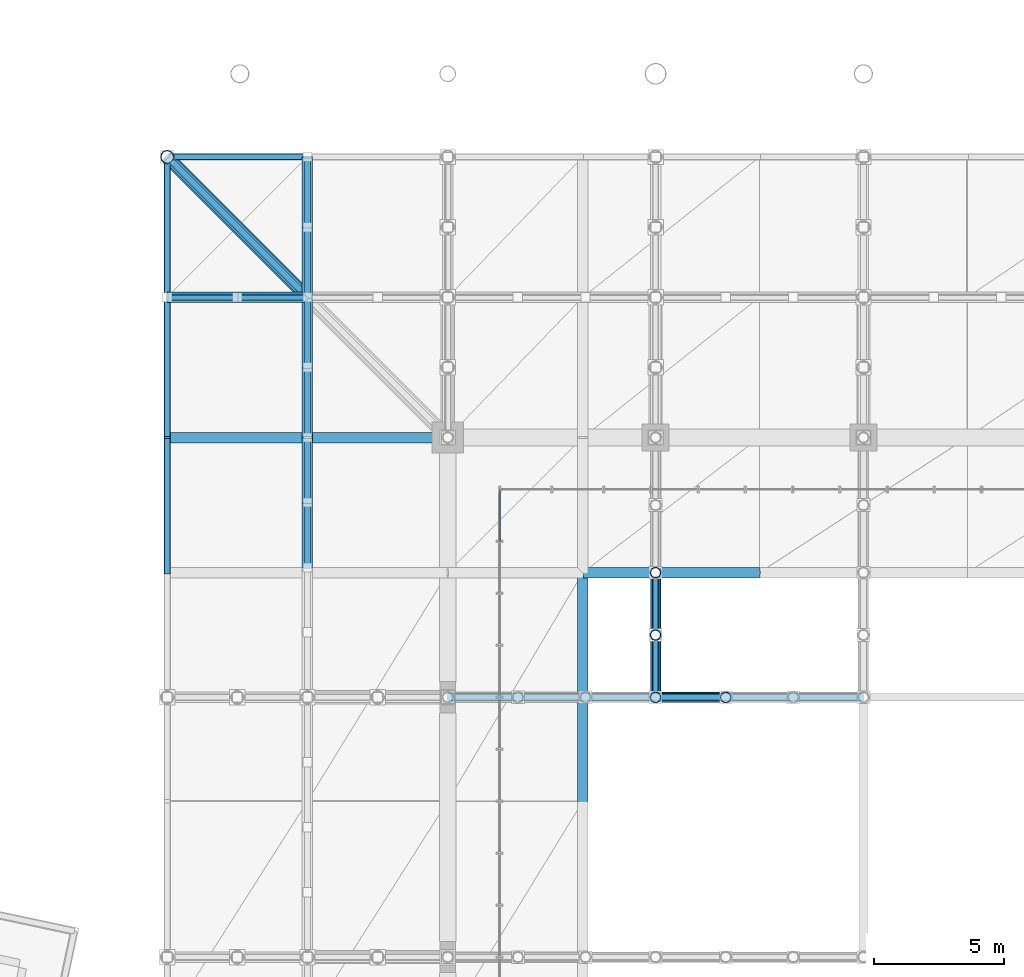
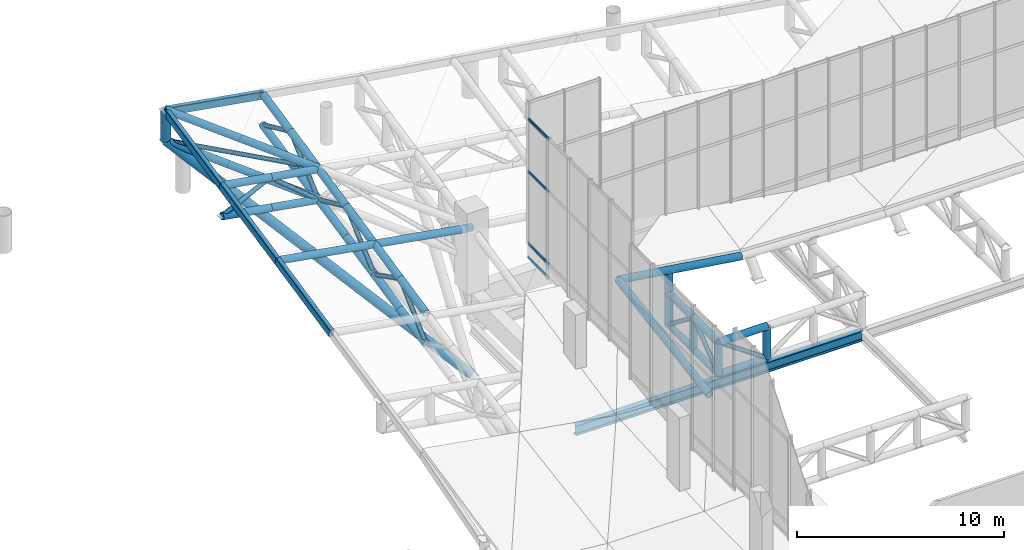
# One storey, part 40 of 137: 50 members, 5 beams, 1 element without a shape of its own.
"""IFC4 building model written with IfcOpenShell, lengths in metres."""

import ifcopenshell
import ifcopenshell.guid

model = None  # the IFC model being written
_history = None  # IfcOwnerHistory: only IFC2X3 demands one
_inside = {}  # id of a spatial element -> (the spatial element, [elements in it])
_under = {}  # id of a project, library or spatial element -> (it, [spatial elements below it])
_declared = {}  # id of a project -> (the project, [libraries it declares])
_typed = {}  # id of a type object -> (the type object, [elements of that type])
_made_of = {}  # id of a material, layer set ... -> (it, [elements and type objects made of it])


def new_model(schema):
    """Start an empty IFC model of exactly this schema.

    Asked for "IFC4X3", IfcOpenShell would pick the latest addendum, in which some entities
    have other attributes; the version numbers below select the first issue.
    IFC2X3 requires an IfcOwnerHistory on every rooted entity: one is made here for all.
    """
    global model, _history
    if schema == "IFC4X3":
        model = ifcopenshell.file(schema_version=(4, 3, 0, 0))
    else:
        model = ifcopenshell.file(schema=schema)
    _inside.clear()
    _under.clear()
    _declared.clear()
    _typed.clear()
    _made_of.clear()
    _history = None
    if model.schema == "IFC2X3":
        org = make("IfcOrganization", Name="unknown")
        user = make(
            "IfcPersonAndOrganization",
            ThePerson=make("IfcPerson", FamilyName="unknown"),
            TheOrganization=org,
        )
        app = make(
            "IfcApplication",
            ApplicationDeveloper=org,
            Version="unknown",
            ApplicationFullName="unknown",
            ApplicationIdentifier="unknown",
        )
        _history = make(
            "IfcOwnerHistory",
            OwningUser=user,
            OwningApplication=app,
            ChangeAction="ADDED",
            CreationDate=0,
        )
    return model


def make(cls, **values):
    """One entity of the class cls with the attributes given. An attribute that is None is left unset."""
    return model.create_entity(
        cls, **{name: value for name, value in values.items() if value is not None}
    )


def rooted(cls, **values):
    """An entity with a GlobalId (a new one), such as an element, a storey or a relation."""
    return make(cls, GlobalId=ifcopenshell.guid.new(), OwnerHistory=_history, **values)


def si_unit(unit_type, name, prefix=None):
    """IfcSIUnit, for example si_unit("LENGTHUNIT", "METRE", prefix="MILLI")."""
    return make("IfcSIUnit", UnitType=unit_type, Prefix=prefix, Name=name)


def assignment(units):
    """IfcUnitAssignment: the units of a project."""
    return None if units is None else make("IfcUnitAssignment", Units=units)


def point(xyz):
    """IfcCartesianPoint."""
    return None if xyz is None else make("IfcCartesianPoint", Coordinates=xyz)


def direction(xyz):
    """IfcDirection."""
    return None if xyz is None else make("IfcDirection", DirectionRatios=xyz)


def frame(location, z_axis=None, x_axis=None):
    """IfcAxis2Placement3D, a coordinate frame: its origin and axes. An axis left out is left unset."""
    return make(
        "IfcAxis2Placement3D",
        Location=point(location),
        Axis=direction(z_axis),
        RefDirection=direction(x_axis),
    )


def frame_2d(location, x_axis=None):
    """IfcAxis2Placement2D, a coordinate frame in the plane: its origin and x axis."""
    return make(
        "IfcAxis2Placement2D", Location=point(location), RefDirection=direction(x_axis)
    )


def origin():
    """The frame at (0, 0, 0) with its axes left unset."""
    return frame((0.0, 0.0, 0.0))


def origin_2d():
    """The frame at (0, 0) in the plane with its x axis left unset."""
    return frame_2d((0.0, 0.0))


def place(relative_to, where):
    """IfcLocalPlacement: puts the frame where relative to a parent placement (None: the world)."""
    return make(
        "IfcLocalPlacement", PlacementRelTo=relative_to, RelativePlacement=where
    )


def context(
    kind, dimensions, precision=None, world=None, true_north=None, identifier=None
):
    """IfcGeometricRepresentationContext, for example the 3D "Model" context."""
    return make(
        "IfcGeometricRepresentationContext",
        ContextIdentifier=identifier,
        ContextType=kind,
        CoordinateSpaceDimension=dimensions,
        Precision=precision,
        WorldCoordinateSystem=world,
        TrueNorth=true_north,
    )


def subcontext(parent, identifier, kind, view, scale=None):
    """IfcGeometricRepresentationSubContext, for example "Body" below "Model"."""
    return make(
        "IfcGeometricRepresentationSubContext",
        ContextIdentifier=identifier,
        ContextType=kind,
        ParentContext=parent,
        TargetScale=scale,
        TargetView=view,
    )


def project(units=None, contexts=None):
    """IfcProject with its units and contexts."""
    return rooted(
        "IfcProject",
        Name="project",
        RepresentationContexts=contexts,
        UnitsInContext=assignment(units),
    )


def spatial(cls, under=None, at=None, **own):
    """A site, building, storey or space (cls), placed at a placement, below another one or the project."""
    s = rooted(cls, ObjectPlacement=at, **own)
    if under is not None:
        _under.setdefault(under.id(), (under, []))[1].append(s)
    return s


def profile(cls, at=None, kind="AREA", **sizes):
    """A parametric profile (cls). Its sizes go by their IFC names, for example OverallWidth=200.0."""
    return make(cls, ProfileType=kind, Position=at, **sizes)


def hollow_rectangle(**sizes):
    """IfcRectangleHollowProfileDef."""
    return profile("IfcRectangleHollowProfileDef", **sizes)


def hollow_circle(**sizes):
    """IfcCircleHollowProfileDef."""
    return profile("IfcCircleHollowProfileDef", **sizes)


def i_section(**sizes):
    """IfcIShapeProfileDef."""
    return profile("IfcIShapeProfileDef", **sizes)


def extrude(swept, where, along, depth):
    """IfcExtrudedAreaSolid: the profile swept, set in the frame where, extruded along a direction by depth."""
    return make(
        "IfcExtrudedAreaSolid",
        SweptArea=swept,
        Position=where,
        ExtrudedDirection=direction(along),
        Depth=depth,
    )


def shape(context_of_items, identifier, shape_type, items):
    """IfcShapeRepresentation: the items that make up one representation, for example the "Body"."""
    return make(
        "IfcShapeRepresentation",
        ContextOfItems=context_of_items,
        RepresentationIdentifier=identifier,
        RepresentationType=shape_type,
        Items=items,
    )


def material(Name=None, Category=None):
    """IfcMaterial."""
    return make("IfcMaterial", Name=Name, Category=Category)


def layer(
    of_material, thickness, ventilated=None, Name=None, Category=None, Priority=None
):
    """IfcMaterialLayer: one layer of a wall or slab, of a material (None: an air gap)."""
    return make(
        "IfcMaterialLayer",
        Material=of_material,
        LayerThickness=thickness,
        IsVentilated=ventilated,
        Name=Name,
        Category=Category,
        Priority=Priority,
    )


def layer_set(layers, Name=None):
    """IfcMaterialLayerSet."""
    return make("IfcMaterialLayerSet", MaterialLayers=layers, LayerSetName=Name)


def material_profile(
    of_material, cross_section, Name=None, Category=None, Priority=None
):
    """IfcMaterialProfile: a cross section and its material."""
    return make(
        "IfcMaterialProfile",
        Name=Name,
        Material=of_material,
        Profile=cross_section,
        Priority=Priority,
        Category=Category,
    )


def profile_set(profiles, Name=None, composite=None):
    """IfcMaterialProfileSet."""
    return make(
        "IfcMaterialProfileSet",
        Name=Name,
        MaterialProfiles=profiles,
        CompositeProfile=composite,
    )


def made_of(thing, what):
    """Note that an element or type object is made of a material, layer set ...; save() writes the relation."""
    if what is not None:
        _made_of.setdefault(what.id(), (what, []))[1].append(thing)
    return thing


def type_object(cls, material=None, **own):
    """A type object (cls), such as IfcWallType, which elements share."""
    return made_of(rooted(cls, **own), material)


def element(
    cls,
    number,
    at=None,
    inside=None,
    cuts=None,
    type_object=None,
    material=None,
    context=None,
    identifier="Body",
    shape_type=None,
    held_by="IfcProductDefinitionShape",
    body=None,
    shapes=None,
    **own,
):
    """One element of the class cls, such as IfcWall. Its Tag is "e" and its number.

    at: its placement. inside: the storey or other place that contains it. cuts: it is an
    opening in that element (IfcRelVoidsElement). A single representation is given by context,
    identifier, shape_type and body (its items); several are given by shapes. held_by: the class
    of the entity that holds the representations. save() writes the other relations.
    """
    e = rooted(cls, Tag="e%d" % number, ObjectPlacement=at, **own)
    if body is not None:
        shapes = [shape(context, identifier, shape_type, body)]
    if shapes is not None:
        e.Representation = make(held_by, Representations=shapes)
    if inside is not None:
        _inside.setdefault(inside.id(), (inside, []))[1].append(e)
    if cuts is not None:
        rooted(
            "IfcRelVoidsElement", RelatingBuildingElement=cuts, RelatedOpeningElement=e
        )
    if type_object is not None:
        _typed.setdefault(type_object.id(), (type_object, []))[1].append(e)
    return made_of(e, material)


def aggregate(whole, parts):
    """IfcRelAggregates: a whole, such as a stair, and the parts it consists of."""
    return rooted("IfcRelAggregates", RelatingObject=whole, RelatedObjects=parts)


def save(model, path):
    """Write the relations noted so far, then the file.

    IfcRelAggregates (storeys below a building ...), IfcRelContainedInSpatialStructure (elements
    in a storey), IfcRelDefinesByType, IfcRelAssociatesMaterial and IfcRelDeclares: one each for
    every whole, place, type object, material and project.
    """
    for whole, parts in _under.values():
        aggregate(whole, parts)
    for where, things in _inside.values():
        rooted(
            "IfcRelContainedInSpatialStructure",
            RelatedElements=things,
            RelatingStructure=where,
        )
    for kind, things in _typed.values():
        rooted("IfcRelDefinesByType", RelatedObjects=things, RelatingType=kind)
    for what, things in _made_of.values():
        rooted("IfcRelAssociatesMaterial", RelatedObjects=things, RelatingMaterial=what)
    for by, libraries in _declared.values():
        rooted("IfcRelDeclares", RelatingContext=by, RelatedDefinitions=libraries)
    model.write(path)


model = new_model("IFC4")

# Units and contexts
model_context = context("Model", 3, precision=1e-05, world=origin(), true_north=direction((0.0, 1.0)))
body_context = subcontext(model_context, "Body", "Model", "MODEL_VIEW")
ifc_project = project(units=[si_unit("LENGTHUNIT", "METRE"), si_unit("AREAUNIT", "SQUARE_METRE"), si_unit("VOLUMEUNIT", "CUBIC_METRE"), si_unit("PLANEANGLEUNIT", "RADIAN"), si_unit("MASSUNIT", "GRAM", prefix="KILO")], contexts=[model_context])

# Site, building, storey
site_placement = place(None, origin())
site = spatial("IfcSite", under=ifc_project, at=site_placement, CompositionType="ELEMENT")
building_placement = place(site_placement, origin())
building = spatial("IfcBuilding", under=site, at=building_placement, Name="Khorjan Park Terminus", CompositionType="ELEMENT")
storey_placement = place(building_placement, frame((0.0, 0.0, 11.4)))
storey = spatial("IfcBuildingStorey", under=building, at=storey_placement, Name="L02", CompositionType="ELEMENT", Elevation=11.4)

# Beam
ifc_material_1 = material(Name="Steel S355", Category="steel")
ifc_material_profile_1 = material_profile(ifc_material_1, i_section(OverallWidth=0.3, OverallDepth=0.59, WebThickness=0.013, FlangeThickness=0.025, FilletRadius=0.027, at=origin_2d()), Name="HEA 600")
ifc_profile_set_1 = profile_set([ifc_material_profile_1], Name="Steel S355")
beam_type_1 = type_object("IfcBeamType", Name="BM-HEA600", PredefinedType="BEAM", material=ifc_profile_set_1)
beam_1_placement = place(storey_placement, frame((48.0, 78.0, -2.395), z_axis=(1.0, 0.0, 0.0), x_axis=(0.0, 1.0, 0.0)))
element("IfcBeam", 1, at=beam_1_placement, inside=storey, type_object=beam_type_1, Name="Lower shell truss support girder SB-A60 (X26)", PredefinedType="BEAM", context=body_context, shape_type="SweptSolid", body=[
    extrude(i_section(OverallWidth=0.3, OverallDepth=0.59, WebThickness=0.013, FlangeThickness=0.025, FilletRadius=0.027, at=origin_2d()), origin(), (0.0, 0.0, 1.0), 16.0),
])

# Members
ifc_material_profile_2 = material_profile(ifc_material_1, hollow_circle(Radius=0.1222, WallThickness=0.0125, at=origin_2d()), Name="CHS 244.5x12.5")
ifc_profile_set_2 = profile_set([ifc_material_profile_2], Name="Steel S355")
member_type_1 = type_object("IfcMemberType", Name="MB-BR-245", PredefinedType="BRACE", material=ifc_profile_set_2)
for number, where, z_axis, x_axis, name in (
    (2, (56.0, 78.0, -1.92), (0.0, 0.788820985003, 0.614623017482), (-1.0, 0.0, 0.0), "Lower shell cantilever truss diagonal (2N)"),
    (3, (56.0, 80.4, -0.05), (0.0, 0.788820985003, -0.614623017482), (-1.0, 0.0, 0.0), "Lower shell cantilever truss diagonal (2N)"),
):
    element("IfcMember", number, at=place(storey_placement, frame(where, z_axis=z_axis, x_axis=x_axis)), inside=storey, type_object=member_type_1, Name=name, PredefinedType="BRACE", context=body_context, shape_type="SweptSolid", body=[
        extrude(hollow_circle(Radius=0.1222, WallThickness=0.0125, at=origin_2d()), origin(), (0.0, 0.0, 1.0), 3.0425),
    ])
member_1_placement = place(storey_placement, frame((56.0, 78.0, -0.05), z_axis=(0.822082565391, 0.0, -0.569368295289), x_axis=(0.0, 1.0, 0.0)))
element("IfcMember", 4, at=member_1_placement, inside=storey, type_object=member_type_1, Name="Lower shell W/E truss diagonal (W4)", PredefinedType="BRACE", context=body_context, shape_type="SweptSolid", body=[
    extrude(hollow_circle(Radius=0.1222, WallThickness=0.0125, at=origin_2d()), origin(), (0.0, 0.0, 1.0), 3.2843),
])
ifc_material_profile_3 = material_profile(ifc_material_1, hollow_circle(Radius=0.1222, WallThickness=0.0125, at=origin_2d()), Name="CHS 244.5x12.5")
ifc_profile_set_3 = profile_set([ifc_material_profile_3], Name="Steel S355")
member_type_2 = type_object("IfcMemberType", Name="MB-BRE-245", PredefinedType="BRACE", material=ifc_profile_set_3)
member_2_placement = place(storey_placement, frame((37.2, 93.4, 4.6256), z_axis=(0.895485989032, 0.0, 0.445089702697), x_axis=(0.0, 1.0, 0.0)))
element("IfcMember", 5, at=member_2_placement, inside=storey, type_object=member_type_2, Name="Lower shell mid-ring diagonal (N1)", PredefinedType="BRACE", context=body_context, shape_type="SweptSolid", body=[
    extrude(hollow_circle(Radius=0.1222, WallThickness=0.0125, at=origin_2d()), origin(), (0.0, 0.0, 1.0), 3.0151),
])
member_3_placement = place(storey_placement, frame((39.9, 93.4, 5.9676), z_axis=(0.767102290967, 0.0, -0.641524804816), x_axis=(0.0, 1.0, 0.0)))
element("IfcMember", 6, at=member_3_placement, inside=storey, type_object=member_type_2, Name="Lower shell mid-ring diagonal (N2)", PredefinedType="BRACE", context=body_context, shape_type="SweptSolid", body=[
    extrude(hollow_circle(Radius=0.1222, WallThickness=0.0125, at=origin_2d()), origin(), (0.0, 0.0, 1.0), 3.5197),
])
member_4_placement = place(storey_placement, frame((42.6, 83.0, 1.5018), z_axis=(0.0, 0.731439462043, 0.681906381673), x_axis=(-1.0, 0.0, 0.0)))
element("IfcMember", 7, at=member_4_placement, inside=storey, type_object=member_type_2, Name="Lower shell mid-ring diagonal (W27)", PredefinedType="BRACE", context=body_context, shape_type="SweptSolid", body=[
    extrude(hollow_circle(Radius=0.1222, WallThickness=0.0125, at=origin_2d()), origin(), (0.0, 0.0, 1.0), 3.4179),
])
member_5_placement = place(storey_placement, frame((42.6, 85.5, 3.8325), z_axis=(0.0, 0.891656802084, -0.452711991554), x_axis=(-1.0, 0.0, 0.0)))
element("IfcMember", 8, at=member_5_placement, inside=storey, type_object=member_type_2, Name="Lower shell mid-ring diagonal (W28)", PredefinedType="BRACE", context=body_context, shape_type="SweptSolid", body=[
    extrude(hollow_circle(Radius=0.1222, WallThickness=0.0125, at=origin_2d()), origin(), (0.0, 0.0, 1.0), 2.8038),
])
member_6_placement = place(storey_placement, frame((42.6, 88.0, 2.5632), z_axis=(0.0, 0.751099687052, 0.660188806411), x_axis=(-1.0, 0.0, 0.0)))
element("IfcMember", 9, at=member_6_placement, inside=storey, type_object=member_type_2, Name="Lower shell mid-ring diagonal (W29)", PredefinedType="BRACE", context=body_context, shape_type="SweptSolid", body=[
    extrude(hollow_circle(Radius=0.1222, WallThickness=0.0125, at=origin_2d()), origin(), (0.0, 0.0, 1.0), 3.5947),
])
member_7_placement = place(storey_placement, frame((42.6, 90.7, 4.9364), z_axis=(0.0, 0.910426516303, -0.413670833408), x_axis=(-1.0, 0.0, 0.0)))
element("IfcMember", 10, at=member_7_placement, inside=storey, type_object=member_type_2, Name="Lower shell mid-ring diagonal (W30)", PredefinedType="BRACE", context=body_context, shape_type="SweptSolid", body=[
    extrude(hollow_circle(Radius=0.1222, WallThickness=0.0125, at=origin_2d()), origin(), (0.0, 0.0, 1.0), 2.9656),
])
member_8_placement = place(storey_placement, frame((42.6, 93.4, 3.7096), z_axis=(0.0, 0.751113481437, 0.660173112148), x_axis=(-1.0, 0.0, 0.0)))
element("IfcMember", 11, at=member_8_placement, inside=storey, type_object=member_type_2, Name="Lower shell mid-ring diagonal (W31)", PredefinedType="BRACE", context=body_context, shape_type="SweptSolid", body=[
    extrude(hollow_circle(Radius=0.1222, WallThickness=0.0125, at=origin_2d()), origin(), (0.0, 0.0, 1.0), 3.5947),
])
member_9_placement = place(storey_placement, frame((42.6, 96.1, 6.0827), z_axis=(0.0, 0.910426516303, -0.413670833408), x_axis=(-1.0, 0.0, 0.0)))
element("IfcMember", 12, at=member_9_placement, inside=storey, type_object=member_type_2, Name="Lower shell mid-ring diagonal (W32)", PredefinedType="BRACE", context=body_context, shape_type="SweptSolid", body=[
    extrude(hollow_circle(Radius=0.1222, WallThickness=0.0125, at=origin_2d()), origin(), (0.0, 0.0, 1.0), 2.9656),
])
member_10_placement = place(storey_placement, frame((42.6, 93.4, 5.5576), z_axis=(-0.706689738214, 0.706689738213, 0.034339886538), x_axis=(-0.707106781187, -0.707106781187, 0.0)))
element("IfcMember", 13, at=member_10_placement, inside=storey, type_object=member_type_2, Name="Lower shell upturned corner truss TBE-24 (NW)", PredefinedType="BRACE", context=body_context, shape_type="SweptSolid", body=[
    extrude(hollow_circle(Radius=0.1222, WallThickness=0.0125, at=origin_2d()), origin(), (0.0, 0.0, 1.0), 7.6413),
])
ifc_material_profile_4 = material_profile(ifc_material_1, hollow_circle(Radius=0.1778, WallThickness=0.016, at=origin_2d()), Name="CHS 355.6x16")
ifc_profile_set_4 = profile_set([ifc_material_profile_4], Name="Steel S355")
member_type_3 = type_object("IfcMemberType", Name="MB-CH-356", PredefinedType="CHORD", material=ifc_profile_set_4)
for number, where, z_axis, x_axis, name in (
    (14, (56.0, 78.0, -1.92), (0.0, 1.0, 0.0), (-1.0, 0.0, 0.0), "Lower shell cantilever truss bottom chord (2N)"),
    (15, (56.0, 80.4, -1.92), (0.0, 1.0, 0.0), (-1.0, 0.0, 0.0), "Lower shell cantilever truss bottom chord (2N)"),
):
    element("IfcMember", number, at=place(storey_placement, frame(where, z_axis=z_axis, x_axis=x_axis)), inside=storey, type_object=member_type_3, Name=name, PredefinedType="CHORD", context=body_context, shape_type="SweptSolid", body=[
        extrude(hollow_circle(Radius=0.1778, WallThickness=0.016, at=origin_2d()), origin(), (0.0, 0.0, 1.0), 2.4),
    ])
member_11_placement = place(storey_placement, frame((56.0, 78.0, -1.92), z_axis=(1.0, 0.0, 0.0), x_axis=(0.0, 1.0, 0.0)))
element("IfcMember", 16, at=member_11_placement, inside=storey, type_object=member_type_3, Name="Lower shell W/E truss bottom chord (W4)", PredefinedType="CHORD", context=body_context, shape_type="SweptSolid", body=[
    extrude(hollow_circle(Radius=0.1778, WallThickness=0.016, at=origin_2d()), origin(), (0.0, 0.0, 1.0), 2.7),
])
ifc_material_profile_5 = material_profile(ifc_material_1, hollow_circle(Radius=0.2032, WallThickness=0.016, at=origin_2d()), Name="CHS 406.4x16")
ifc_profile_set_5 = profile_set([ifc_material_profile_5], Name="Steel S355")
member_type_4 = type_object("IfcMemberType", Name="MB-CH-406", PredefinedType="CHORD", material=ifc_profile_set_5)
member_12_placement = place(storey_placement, frame((53.2, 82.8, 1.6975), z_axis=(0.989598684842, 0.0, -0.143855632348), x_axis=(0.0, 1.0, 0.0)))
element("IfcMember", 17, at=member_12_placement, inside=storey, type_object=member_type_4, Name="Lower wrapping shell rim chord (92)", PredefinedType="CHORD", context=body_context, shape_type="SweptSolid", body=[
    extrude(hollow_circle(Radius=0.2032, WallThickness=0.016, at=origin_2d()), origin(), (0.0, 0.0, 1.0), 6.8715),
])
member_13_placement = place(storey_placement, frame((53.2, 74.0, 0.266), z_axis=(0.0, 0.987026084873, 0.160559981875), x_axis=(-1.0, 0.0, 0.0)))
element("IfcMember", 18, at=member_13_placement, inside=storey, type_object=member_type_4, Name="Lower wrapping shell rim chord (134)", PredefinedType="CHORD", context=body_context, shape_type="SweptSolid", body=[
    extrude(hollow_circle(Radius=0.2032, WallThickness=0.016, at=origin_2d()), origin(), (0.0, 0.0, 1.0), 8.9157),
])
for number, where, z_axis, x_axis, name in (
    (19, (56.0, 78.0, -0.05), (0.0, 1.0, 0.0), (-1.0, 0.0, 0.0), "Lower shell cantilever truss top chord (2N)"),
    (20, (56.0, 80.4, -0.05), (0.0, 1.0, 0.0), (-1.0, 0.0, 0.0), "Lower shell cantilever truss top chord (2N)"),
):
    element("IfcMember", number, at=place(storey_placement, frame(where, z_axis=z_axis, x_axis=x_axis)), inside=storey, type_object=member_type_4, Name=name, PredefinedType="CHORD", context=body_context, shape_type="SweptSolid", body=[
        extrude(hollow_circle(Radius=0.2032, WallThickness=0.016, at=origin_2d()), origin(), (0.0, 0.0, 1.0), 2.4),
    ])
member_14_placement = place(storey_placement, frame((56.0, 78.0, -0.05), z_axis=(1.0, 0.0, 0.0), x_axis=(0.0, 1.0, 0.0)))
element("IfcMember", 21, at=member_14_placement, inside=storey, type_object=member_type_4, Name="Lower shell W/E truss top chord (W4)", PredefinedType="CHORD", context=body_context, shape_type="SweptSolid", body=[
    extrude(hollow_circle(Radius=0.2032, WallThickness=0.016, at=origin_2d()), origin(), (0.0, 0.0, 1.0), 2.7),
])
ifc_material_profile_6 = material_profile(ifc_material_1, hollow_circle(Radius=0.2032, WallThickness=0.016, at=origin_2d()), Name="CHS 406.4x16")
ifc_profile_set_6 = profile_set([ifc_material_profile_6], Name="Steel S355")
member_type_5 = type_object("IfcMemberType", Name="MB-CHE-406", PredefinedType="CHORD", material=ifc_profile_set_6)
for number, where, z_axis, x_axis, name in (
    (22, (37.2, 88.0, 5.2793), (0.985913104802, 0.0, -0.167258332465), (0.0, 1.0, 0.0), "Lower wrapping shell rim chord (105)"),
    (23, (42.6, 88.0, 4.3632), (0.985913104802, 0.0, -0.167258332465), (0.0, 1.0, 0.0), "Lower wrapping shell rim chord (106)"),
):
    element("IfcMember", number, at=place(storey_placement, frame(where, z_axis=z_axis, x_axis=x_axis)), inside=storey, type_object=member_type_5, Name=name, PredefinedType="CHORD", context=body_context, shape_type="SweptSolid", body=[
        extrude(hollow_circle(Radius=0.2032, WallThickness=0.016, at=origin_2d()), origin(), (0.0, 0.0, 1.0), 5.4772),
    ])
for number, where, z_axis, x_axis, name in (
    (24, (37.2, 93.4, 6.4256), (0.985916115378, 0.0, -0.167240585497), (0.0, 1.0, 0.0), "Lower shell mid-ring top chord (N1)"),
    (25, (37.2, 93.4, 4.6256), (0.985916115378, 0.0, -0.167240585497), (0.0, 1.0, 0.0), "Lower shell mid-ring bottom chord (N1)"),
    (26, (39.9, 93.4, 5.9676), (0.985916115378, 0.0, -0.167240585497), (0.0, 1.0, 0.0), "Lower shell mid-ring top chord (N2)"),
    (27, (39.9, 93.4, 4.1676), (0.985916115378, 0.0, -0.167240585497), (0.0, 1.0, 0.0), "Lower shell mid-ring bottom chord (N2)"),
):
    element("IfcMember", number, at=place(storey_placement, frame(where, z_axis=z_axis, x_axis=x_axis)), inside=storey, type_object=member_type_5, Name=name, PredefinedType="CHORD", context=body_context, shape_type="SweptSolid", body=[
        extrude(hollow_circle(Radius=0.2032, WallThickness=0.016, at=origin_2d()), origin(), (0.0, 0.0, 1.0), 2.7386),
    ])
for number, where, z_axis, x_axis, name in (
    (28, (42.6, 83.0, 3.3018), (0.0, 0.978202584398, 0.207652844616), (-1.0, 0.0, 0.0), "Lower shell mid-ring top chord (W27)"),
    (29, (42.6, 83.0, 1.5018), (0.0, 0.978202584398, 0.207652844616), (-1.0, 0.0, 0.0), "Lower shell mid-ring bottom chord (W27)"),
    (30, (42.6, 85.5, 3.8325), (0.0, 0.978202584398, 0.207652844616), (-1.0, 0.0, 0.0), "Lower shell mid-ring top chord (W28)"),
    (31, (42.6, 85.5, 2.0325), (0.0, 0.978202584398, 0.207652844616), (-1.0, 0.0, 0.0), "Lower shell mid-ring bottom chord (W28)"),
):
    element("IfcMember", number, at=place(storey_placement, frame(where, z_axis=z_axis, x_axis=x_axis)), inside=storey, type_object=member_type_5, Name=name, PredefinedType="CHORD", context=body_context, shape_type="SweptSolid", body=[
        extrude(hollow_circle(Radius=0.2032, WallThickness=0.016, at=origin_2d()), origin(), (0.0, 0.0, 1.0), 2.5557),
    ])
for number, where, z_axis, x_axis, name in (
    (32, (42.6, 88.0, 4.3632), (0.0, 0.978199346233, 0.207668098245), (-1.0, 0.0, 0.0), "Lower shell mid-ring top chord (W29)"),
    (33, (42.6, 88.0, 2.5632), (0.0, 0.978199346233, 0.207668098245), (-1.0, 0.0, 0.0), "Lower shell mid-ring bottom chord (W29)"),
    (34, (42.6, 90.7, 4.9364), (0.0, 0.978199346233, 0.207668098245), (-1.0, 0.0, 0.0), "Lower shell mid-ring top chord (W30)"),
    (35, (42.6, 90.7, 3.1364), (0.0, 0.978199346233, 0.207668098245), (-1.0, 0.0, 0.0), "Lower shell mid-ring bottom chord (W30)"),
    (36, (42.6, 93.4, 5.5096), (0.0, 0.978206705385, 0.207633430688), (-1.0, 0.0, 0.0), "Lower shell mid-ring top chord (W31)"),
    (37, (42.6, 93.4, 3.7096), (0.0, 0.978206705385, 0.207633430688), (-1.0, 0.0, 0.0), "Lower shell mid-ring bottom chord (W31)"),
    (38, (42.6, 96.1, 6.0827), (0.0, 0.978199346233, 0.207668098245), (-1.0, 0.0, 0.0), "Lower shell mid-ring top chord (W32)"),
    (39, (42.6, 96.1, 4.2827), (0.0, 0.978199346233, 0.207668098245), (-1.0, 0.0, 0.0), "Lower shell mid-ring bottom chord (W32)"),
):
    element("IfcMember", number, at=place(storey_placement, frame(where, z_axis=z_axis, x_axis=x_axis)), inside=storey, type_object=member_type_5, Name=name, PredefinedType="CHORD", context=body_context, shape_type="SweptSolid", body=[
        extrude(hollow_circle(Radius=0.2032, WallThickness=0.016, at=origin_2d()), origin(), (0.0, 0.0, 1.0), 2.7602),
    ])
for number, where, z_axis, x_axis, name in (
    (40, (42.6, 93.4, 5.5576), (-0.682650727968, 0.682650727968, 0.260722011363), (-0.707106781187, -0.707106781187, 0.0), "Lower shell upturned corner truss TCE-41 (NW)"),
    (41, (42.6, 93.4, 3.7576), (-0.682650727968, 0.682650727968, 0.260722011363), (-0.707106781187, -0.707106781187, 0.0), "Lower shell upturned corner truss TCE-41 (NW)"),
):
    element("IfcMember", number, at=place(storey_placement, frame(where, z_axis=z_axis, x_axis=x_axis)), inside=storey, type_object=member_type_5, Name=name, PredefinedType="CHORD", context=body_context, shape_type="SweptSolid", body=[
        extrude(hollow_circle(Radius=0.2032, WallThickness=0.016, at=origin_2d()), origin(), (0.0, 0.0, 1.0), 7.9103),
    ])
ifc_material_profile_7 = material_profile(ifc_material_1, hollow_circle(Radius=0.2032, WallThickness=0.016, at=origin_2d()), Name="CHS 406.4x16")
ifc_profile_set_7 = profile_set([ifc_material_profile_7], Name="Steel S355")
member_type_6 = type_object("IfcMemberType", Name="MB-ST-406", PredefinedType="STRUT", material=ifc_profile_set_7)
for number, where, z_axis, x_axis, name in (
    (42, (56.0, 78.0, -1.92), (0.0, 0.0, 1.0), (1.0, 0.0, 0.0), "Lower shell cantilever truss post (2N)"),
    (43, (56.0, 80.4, -1.92), (0.0, 0.0, 1.0), (1.0, 0.0, 0.0), "Lower shell cantilever truss post (2N)"),
):
    element("IfcMember", number, at=place(storey_placement, frame(where, z_axis=z_axis, x_axis=x_axis)), inside=storey, type_object=member_type_6, Name=name, PredefinedType="STRUT", context=body_context, shape_type="SweptSolid", body=[
        extrude(hollow_circle(Radius=0.2032, WallThickness=0.016, at=origin_2d()), origin(), (0.0, 0.0, 1.0), 1.87),
    ])
member_15_placement = place(storey_placement, frame((56.0, 82.8, -1.92), z_axis=(0.0, 0.0, 1.0), x_axis=(1.0, 0.0, 0.0)))
element("IfcMember", 44, at=member_15_placement, inside=storey, type_object=member_type_6, Name="Lower shell cantilever truss post (2N)", PredefinedType="STRUT", context=body_context, shape_type="SweptSolid", body=[
    extrude(hollow_circle(Radius=0.2032, WallThickness=0.016, at=origin_2d()), origin(), (0.0, 0.0, 1.0), 3.2105),
])
member_16_placement = place(storey_placement, frame((58.7, 78.0, -1.92), z_axis=(0.0, 0.0, 1.0), x_axis=(1.0, 0.0, 0.0)))
element("IfcMember", 45, at=member_16_placement, inside=storey, type_object=member_type_6, Name="Lower shell W/E truss post (W4)", PredefinedType="STRUT", context=body_context, shape_type="SweptSolid", body=[
    extrude(hollow_circle(Radius=0.2032, WallThickness=0.016, at=origin_2d()), origin(), (0.0, 0.0, 1.0), 1.87),
])
ifc_material_profile_8 = material_profile(ifc_material_1, hollow_circle(Radius=0.254, WallThickness=0.02, at=origin_2d()), Name="CHS 508x20")
ifc_profile_set_8 = profile_set([ifc_material_profile_8], Name="Steel S355")
member_type_7 = type_object("IfcMemberType", Name="MB-STE-508", PredefinedType="STRUT", material=ifc_profile_set_8)
member_17_placement = place(storey_placement, frame((48.0, 88.0, -5.2), z_axis=(-0.573430346796, 0.573430346796, 0.585111335342), x_axis=(-0.707106781187, -0.707106781187, 0.0)))
element("IfcMember", 46, at=member_17_placement, inside=storey, type_object=member_type_7, Name="Lower shell upturned corner truss STE-51 (NW)", PredefinedType="STRUT", context=body_context, shape_type="SweptSolid", body=[
    extrude(hollow_circle(Radius=0.254, WallThickness=0.02, at=origin_2d()), origin(), (0.0, 0.0, 1.0), 18.834),
])
member_18_placement = place(storey_placement, frame((37.2, 98.8, 5.82), z_axis=(0.0, 0.0, 1.0), x_axis=(1.0, 0.0, 0.0)))
element("IfcMember", 47, at=member_18_placement, inside=storey, type_object=member_type_7, Name="Lower shell upturned corner tip post (NW)", PredefinedType="STRUT", context=body_context, shape_type="SweptSolid", body=[
    extrude(hollow_circle(Radius=0.254, WallThickness=0.02, at=origin_2d()), origin(), (0.0, 0.0, 1.0), 1.8),
])

# Beams
ifc_material_profile_9 = material_profile(ifc_material_1, hollow_rectangle(XDim=0.25, YDim=0.45, WallThickness=0.016, InnerFilletRadius=0.016, OuterFilletRadius=0.032, at=origin_2d()), Name="RHS 450x250x16")
ifc_profile_set_9 = profile_set([ifc_material_profile_9], Name="Steel S355")
beam_type_2 = type_object("IfcBeamType", Name="SP-RHS450", PredefinedType="SPANDREL", material=ifc_profile_set_9)
beam_2_placement = place(storey_placement, frame((37.2, 98.8, 7.55), z_axis=(0.985913104802, 0.0, -0.167258332465), x_axis=(0.0, 1.0, 0.0)))
element("IfcBeam", 48, at=beam_2_placement, inside=storey, type_object=beam_type_2, Name="Lower wrapping shell upturned edge beam SP-R45 (17)", PredefinedType="SPANDREL", context=body_context, shape_type="SweptSolid", body=[
    extrude(hollow_rectangle(XDim=0.25, YDim=0.45, WallThickness=0.016, InnerFilletRadius=0.016, OuterFilletRadius=0.032, at=origin_2d()), origin(), (0.0, 0.0, 1.0), 5.4772),
])
beam_3_placement = place(storey_placement, frame((37.2, 82.8, 4.1534), z_axis=(0.0, 0.97820090307, 0.207660764788), x_axis=(-1.0, 0.0, 0.0)))
element("IfcBeam", 49, at=beam_3_placement, inside=storey, type_object=beam_type_2, Name="Lower wrapping shell upturned edge beam SP-R45 (42)", PredefinedType="SPANDREL", context=body_context, shape_type="SweptSolid", body=[
    extrude(hollow_rectangle(XDim=0.25, YDim=0.45, WallThickness=0.016, InnerFilletRadius=0.016, OuterFilletRadius=0.032, at=origin_2d()), origin(), (0.0, 0.0, 1.0), 5.3159),
])
for number, where, z_axis, x_axis, name in (
    (50, (37.2, 88.0, 5.2573), (0.0, 0.978203025949, 0.207650764564), (-1.0, 0.0, 0.0), "Lower wrapping shell upturned edge beam SP-R45 (43)"),
    (51, (37.2, 93.4, 6.4036), (0.0, 0.978199346233, 0.207668098245), (-1.0, 0.0, 0.0), "Lower wrapping shell upturned edge beam SP-R45 (44)"),
):
    element("IfcBeam", number, at=place(storey_placement, frame(where, z_axis=z_axis, x_axis=x_axis)), inside=storey, type_object=beam_type_2, Name=name, PredefinedType="SPANDREL", context=body_context, shape_type="SweptSolid", body=[
        extrude(hollow_rectangle(XDim=0.25, YDim=0.45, WallThickness=0.016, InnerFilletRadius=0.016, OuterFilletRadius=0.032, at=origin_2d()), origin(), (0.0, 0.0, 1.0), 5.5203),
    ])

# Curtain wall, members
ifc_material_2 = material(Name="Anodized Bronze Aluminium", Category="aluminium")
ifc_layer = layer(ifc_material_2, 0.22)
ifc_layer_set = layer_set([ifc_layer], Name="Anodized Bronze Aluminium")
curtain_wall_type = type_object("IfcCurtainWallType", Name="CW-CONC-CLR", PredefinedType="NOTDEFINED", material=ifc_layer_set)
curtain_wall_placement = place(storey_placement, origin())
curtain_wall = element("IfcCurtainWall", 52, at=curtain_wall_placement, inside=storey, type_object=curtain_wall_type, Name="Unitized curtain wall CW-CL (CW-V2-W-CLR-05)", PredefinedType="NOTDEFINED")
ifc_material_profile_10 = material_profile(ifc_material_2, hollow_rectangle(XDim=0.07, YDim=0.16, WallThickness=0.004, InnerFilletRadius=0.004, OuterFilletRadius=0.008, at=origin_2d()), Name="ALT 70x160x4")
ifc_profile_set_10 = profile_set([ifc_material_profile_10], Name="Anodized Bronze Aluminium")
member_type_8 = type_object("IfcMemberType", Name="TR-ALT-160", PredefinedType="USERDEFINED", material=ifc_profile_set_10)
member_19_placement = place(storey_placement, frame((50.0, 86.0, 2.2342), z_axis=(0.0, -1.0, 0.0), x_axis=(1.0, 0.0, 0.0)))
member_19 = element("IfcMember", 53, at=member_19_placement, type_object=member_type_8, Name="Curtain-wall transom TR-16 (CW-V2-W-CLR-05-0-1)", ObjectType="TRANSOM", PredefinedType="USERDEFINED", context=body_context, shape_type="SweptSolid", body=[
    extrude(hollow_rectangle(XDim=0.07, YDim=0.16, WallThickness=0.004, InnerFilletRadius=0.004, OuterFilletRadius=0.008, at=origin_2d()), origin(), (0.0, 0.0, 1.0), 2.0),
])
member_20_placement = place(storey_placement, frame((50.0, 86.0, 3.0442), z_axis=(0.0, -1.0, 0.0), x_axis=(1.0, 0.0, 0.0)))
member_20 = element("IfcMember", 54, at=member_20_placement, type_object=member_type_8, Name="Curtain-wall transom TR-16 (CW-V2-W-CLR-05-0-2)", ObjectType="TRANSOM", PredefinedType="USERDEFINED", context=body_context, shape_type="SweptSolid", body=[
    extrude(hollow_rectangle(XDim=0.07, YDim=0.16, WallThickness=0.004, InnerFilletRadius=0.004, OuterFilletRadius=0.008, at=origin_2d()), origin(), (0.0, 0.0, 1.0), 2.0),
])
member_21_placement = place(storey_placement, frame((50.0, 86.0, 7.2959), z_axis=(0.0, -1.0, 0.0), x_axis=(1.0, 0.0, 0.0)))
member_21 = element("IfcMember", 55, at=member_21_placement, type_object=member_type_8, Name="Curtain-wall transom TR-16 (CW-V2-W-CLR-05-0-3)", ObjectType="TRANSOM", PredefinedType="USERDEFINED", context=body_context, shape_type="SweptSolid", body=[
    extrude(hollow_rectangle(XDim=0.07, YDim=0.16, WallThickness=0.004, InnerFilletRadius=0.004, OuterFilletRadius=0.008, at=origin_2d()), origin(), (0.0, 0.0, 1.0), 2.0),
])
member_22_placement = place(storey_placement, frame((50.0, 86.0, 10.3828), z_axis=(0.0, -1.0, 0.0), x_axis=(1.0, 0.0, 0.0)))
member_22 = element("IfcMember", 56, at=member_22_placement, type_object=member_type_8, Name="Curtain-wall transom TR-16 (CW-V2-W-CLR-05-0-4)", ObjectType="TRANSOM", PredefinedType="USERDEFINED", context=body_context, shape_type="SweptSolid", body=[
    extrude(hollow_rectangle(XDim=0.07, YDim=0.16, WallThickness=0.004, InnerFilletRadius=0.004, OuterFilletRadius=0.008, at=origin_2d()), origin(), (0.0, 0.0, 1.0), 2.0),
])
aggregate(curtain_wall, [member_19, member_20, member_21, member_22])

save(model, "model.ifc")
